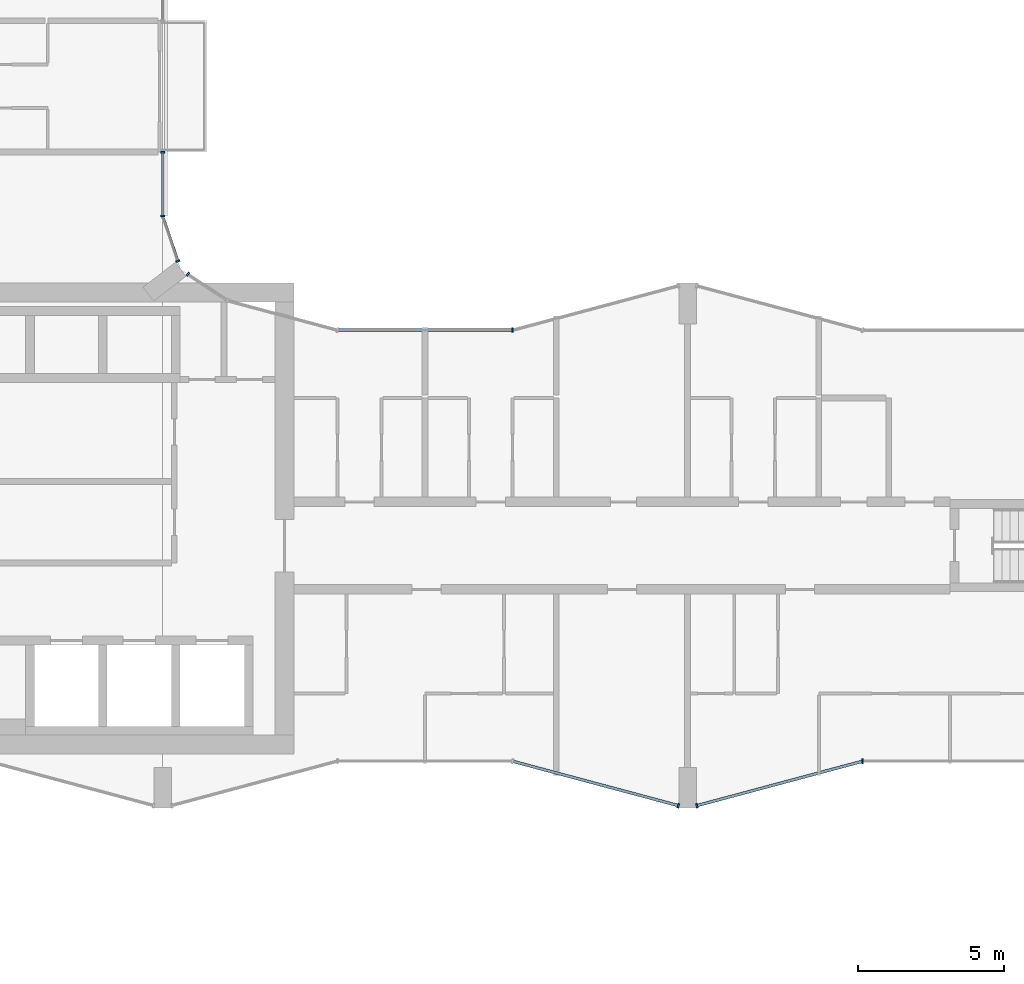
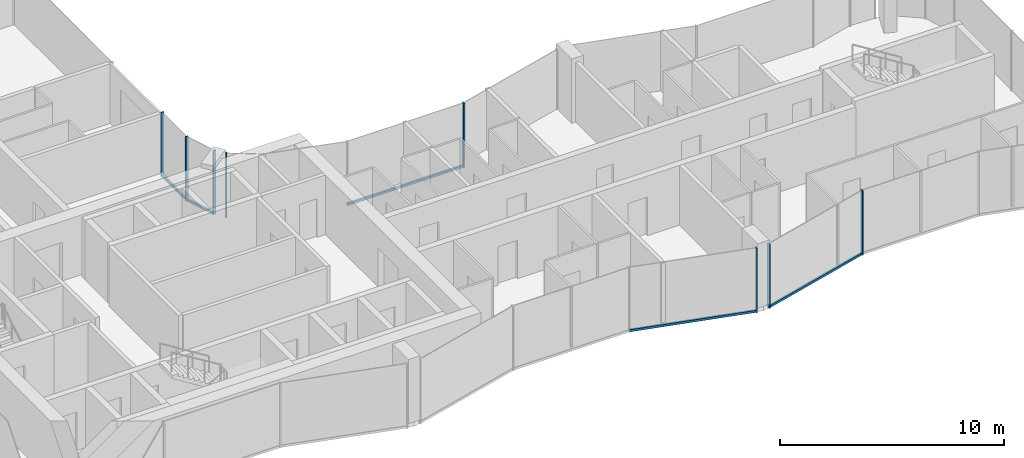
# One storey, part 4 of 22: 13 members, 7 elements without a shape of their own.
"""IFC4 building model written with IfcOpenShell, lengths in metres."""

from ifc_helpers import new_model, si_unit, direction, frame, origin, origin_2d, place, context, subcontext, project, spatial, rectangle, extrude, material, layer, layer_set, material_profile, profile_set, type_object, element, aggregate, save


model = new_model("IFC4")

# Units and contexts
model_context = context("Model", 3, precision=1e-05, world=origin(), true_north=direction((0.0, 1.0)))
body_context = subcontext(model_context, "Body", "Model", "MODEL_VIEW")
ifc_project = project(units=[si_unit("LENGTHUNIT", "METRE"), si_unit("AREAUNIT", "SQUARE_METRE"), si_unit("VOLUMEUNIT", "CUBIC_METRE"), si_unit("PLANEANGLEUNIT", "RADIAN"), si_unit("MASSUNIT", "GRAM", prefix="KILO")], contexts=[model_context])

# Site, building, storey
site_placement = place(None, origin())
site = spatial("IfcSite", under=ifc_project, at=site_placement, CompositionType="ELEMENT")
building_placement = place(site_placement, origin())
building = spatial("IfcBuilding", under=site, at=building_placement, Name="Plateau Cross Towers", CompositionType="ELEMENT")
storey_placement = place(building_placement, frame((0.0, 0.0, 99.300048828125)))
storey = spatial("IfcBuildingStorey", under=building, at=storey_placement, Name="L25", CompositionType="ELEMENT", Elevation=99.300048828125)

# Curtain wall, member
ifc_material_1 = material(Name="Dark low-iron glass", Category="glass")
ifc_layer_1 = layer(ifc_material_1, 0.239990234375)
ifc_layer_set_1 = layer_set([ifc_layer_1], Name="Dark low-iron glass")
curtain_wall_type_1 = type_object("IfcCurtainWallType", Name="Curtain wall flush unitised CW-B", PredefinedType="NOTDEFINED", material=ifc_layer_set_1)
curtain_wall_1_placement = place(storey_placement, origin())
curtain_wall_1 = element("IfcCurtainWall", 1, at=curtain_wall_1_placement, inside=storey, type_object=curtain_wall_type_1, Name="ENV/A/L25/A202_174", PredefinedType="NOTDEFINED")
ifc_material_2 = material(Name="Black anodised aluminium", Category="aluminium")
ifc_material_profile_1 = material_profile(ifc_material_2, rectangle(XDim=0.06005859375, YDim=0.139892578125, at=origin_2d()), Name="MULLION 60x140")
ifc_profile_set_1 = profile_set([ifc_material_profile_1], Name="Black anodised aluminium")
member_type_1 = type_object("IfcMemberType", Name="Mullion 60x140 flush unitised", PredefinedType="MULLION", material=ifc_profile_set_1)
member_1_placement = place(storey_placement, frame((18.86962890625, 18.30908203125, -0.25), z_axis=(0.0, 0.0, 1.0), x_axis=(-0.831521253329, 0.555492938984, 0.0)))
member_1 = element("IfcMember", 2, at=member_1_placement, type_object=member_type_1, Name="CW-B mullion 2", PredefinedType="MULLION", context=body_context, shape_type="SweptSolid", body=[
    extrude(rectangle(XDim=0.06005859375, YDim=0.139892578125, at=origin_2d()), origin(), (0.0, 0.0, 1.0), 3.5),
])
aggregate(curtain_wall_1, [member_1])

curtain_wall_2_placement = place(storey_placement, origin())
curtain_wall_2 = element("IfcCurtainWall", 3, at=curtain_wall_2_placement, inside=storey, type_object=curtain_wall_type_1, Name="ENV/A/L25/A185_188", PredefinedType="NOTDEFINED")
member_2_placement = place(storey_placement, frame((18.523681640625, 18.760009765625, -0.25), z_axis=(0.0, 0.0, 1.0), x_axis=(-0.321469161574, 0.94692004845, 0.0)))
member_2 = element("IfcMember", 4, at=member_2_placement, type_object=member_type_1, Name="CW-B mullion 1", PredefinedType="MULLION", context=body_context, shape_type="SweptSolid", body=[
    extrude(rectangle(XDim=0.06005859375, YDim=0.139892578125, at=origin_2d()), origin(), (0.0, 0.0, 1.0), 3.5),
])

# Curtain wall, members
curtain_wall_3_placement = place(storey_placement, origin())
curtain_wall_3 = element("IfcCurtainWall", 5, at=curtain_wall_3_placement, inside=storey, type_object=curtain_wall_type_1, Name="ENV/A/L25/A180_203", PredefinedType="NOTDEFINED")
member_3_placement = place(storey_placement, frame((18.0, 20.30224609375, -0.25), z_axis=(0.0, 0.0, 1.0), x_axis=(0.0, 1.0, 0.0)))
member_3 = element("IfcMember", 6, at=member_3_placement, type_object=member_type_1, Name="CW-B mullion 1", PredefinedType="MULLION", context=body_context, shape_type="SweptSolid", body=[
    extrude(rectangle(XDim=0.06005859375, YDim=0.139892578125, at=origin_2d()), origin(), (0.0, 0.0, 1.0), 3.5),
])
member_4_placement = place(storey_placement, frame((18.0, 22.489990234375, -0.25), z_axis=(0.0, 0.0, 1.0), x_axis=(0.0, 1.0, 0.0)))
member_4 = element("IfcMember", 7, at=member_4_placement, type_object=member_type_1, Name="CW-B mullion 2", PredefinedType="MULLION", context=body_context, shape_type="SweptSolid", body=[
    extrude(rectangle(XDim=0.06005859375, YDim=0.139892578125, at=origin_2d()), origin(), (0.0, 0.0, 1.0), 3.5),
])

# Curtain wall, member
ifc_layer_2 = layer(ifc_material_1, 0.260009765625)
ifc_layer_set_2 = layer_set([ifc_layer_2], Name="Dark low-iron glass")
curtain_wall_type_2 = type_object("IfcCurtainWallType", Name="Curtain wall fluted unitised CW-A", PredefinedType="NOTDEFINED", material=ifc_layer_set_2)
curtain_wall_4_placement = place(storey_placement, origin())
curtain_wall_4 = element("IfcCurtainWall", 8, at=curtain_wall_4_placement, inside=storey, type_object=curtain_wall_type_2, Name="ENV/A/L25/A300_16", PredefinedType="NOTDEFINED")
ifc_material_profile_2 = material_profile(ifc_material_2, rectangle(XDim=0.06005859375, YDim=0.159912109375, at=origin_2d()), Name="MULLION 60x160")
ifc_profile_set_2 = profile_set([ifc_material_profile_2], Name="Black anodised aluminium")
member_type_2 = type_object("IfcMemberType", Name="Mullion 60x160 fluted unitised", PredefinedType="MULLION", material=ifc_profile_set_2)
member_5_placement = place(storey_placement, frame((35.68212890625, 0.085205078125, -0.25), z_axis=(0.0, 0.0, 1.0), x_axis=(0.965957983404, -0.258699003279, 0.0)))
member_5 = element("IfcMember", 9, at=member_5_placement, type_object=member_type_2, Name="CW-A mullion 2", PredefinedType="MULLION", context=body_context, shape_type="SweptSolid", body=[
    extrude(rectangle(XDim=0.06005859375, YDim=0.159912109375, at=origin_2d()), origin(), (0.0, 0.0, 1.0), 3.5),
])

curtain_wall_5_placement = place(storey_placement, origin())
curtain_wall_5 = element("IfcCurtainWall", 10, at=curtain_wall_5_placement, inside=storey, type_object=curtain_wall_type_2, Name="ENV/A/L25/A363_1", PredefinedType="NOTDEFINED")
member_6_placement = place(storey_placement, frame((36.31787109375, 0.085205078125, -0.25), z_axis=(0.0, 0.0, 1.0), x_axis=(0.965957983404, 0.258699003279, 0.0)))
member_6 = element("IfcMember", 11, at=member_6_placement, type_object=member_type_2, Name="CW-A mullion 1", PredefinedType="MULLION", context=body_context, shape_type="SweptSolid", body=[
    extrude(rectangle(XDim=0.06005859375, YDim=0.159912109375, at=origin_2d()), origin(), (0.0, 0.0, 1.0), 3.5),
])

curtain_wall_6_placement = place(storey_placement, origin())
curtain_wall_6 = element("IfcCurtainWall", 12, at=curtain_wall_6_placement, inside=storey, type_object=curtain_wall_type_2, Name="ENV/A/L25/A420_16", PredefinedType="NOTDEFINED")
member_7_placement = place(storey_placement, frame((42.0, 1.60693359375, -0.25), z_axis=(0.0, 0.0, 1.0), x_axis=(1.0, 0.0, 0.0)))
member_7 = element("IfcMember", 13, at=member_7_placement, type_object=member_type_2, Name="CW-A mullion 1", PredefinedType="MULLION", context=body_context, shape_type="SweptSolid", body=[
    extrude(rectangle(XDim=0.06005859375, YDim=0.159912109375, at=origin_2d()), origin(), (0.0, 0.0, 1.0), 3.5),
])
aggregate(curtain_wall_6, [member_7])

curtain_wall_7_placement = place(storey_placement, origin())
curtain_wall_7 = element("IfcCurtainWall", 14, at=curtain_wall_7_placement, inside=storey, type_object=curtain_wall_type_2, Name="ENV/A/L25/A300_164", PredefinedType="NOTDEFINED")
member_8_placement = place(storey_placement, frame((30.0, 16.39306640625, -0.25), z_axis=(0.0, 0.0, 1.0), x_axis=(-1.0, 0.0, 0.0)))
member_8 = element("IfcMember", 15, at=member_8_placement, type_object=member_type_2, Name="CW-A mullion 1", PredefinedType="MULLION", context=body_context, shape_type="SweptSolid", body=[
    extrude(rectangle(XDim=0.06005859375, YDim=0.159912109375, at=origin_2d()), origin(), (0.0, 0.0, 1.0), 3.5),
])

# Member
ifc_material_profile_3 = material_profile(ifc_material_2, rectangle(XDim=0.10009765625, YDim=0.1201171875, at=origin_2d()), Name="TRANSOM 100x120")
ifc_profile_set_3 = profile_set([ifc_material_profile_3], Name="Black anodised aluminium")
member_type_3 = type_object("IfcMemberType", Name="Transom 100x120 flush unitised", PredefinedType="USERDEFINED", material=ifc_profile_set_3)
member_9_placement = place(storey_placement, frame((18.523681640625, 18.760009765625, -0.18994140625), z_axis=(-0.321529174838, 0.946899672472, 0.0), x_axis=(-0.946899672472, -0.321529174838, 0.0)))
member_9 = element("IfcMember", 16, at=member_9_placement, type_object=member_type_3, Name="CW-B transom", ObjectType="TRANSOM", PredefinedType="USERDEFINED", context=body_context, shape_type="SweptSolid", body=[
    extrude(rectangle(XDim=0.10009765625, YDim=0.1201171875, at=origin_2d()), origin(), (0.0, 0.0, 1.0), 1.628662109375),
])

aggregate(curtain_wall_2, [member_2, member_9])

member_10_placement = place(storey_placement, frame((18.0, 20.30224609375, -0.18994140625), z_axis=(0.0, 1.0, 0.0), x_axis=(-1.0, 0.0, 0.0)))
member_10 = element("IfcMember", 17, at=member_10_placement, type_object=member_type_3, Name="CW-B transom", ObjectType="TRANSOM", PredefinedType="USERDEFINED", context=body_context, shape_type="SweptSolid", body=[
    extrude(rectangle(XDim=0.10009765625, YDim=0.1201171875, at=origin_2d()), origin(), (0.0, 0.0, 1.0), 2.187744140625),
])

aggregate(curtain_wall_3, [member_3, member_4, member_10])

ifc_material_profile_4 = material_profile(ifc_material_2, rectangle(XDim=0.10009765625, YDim=0.1201171875, at=origin_2d()), Name="TRANSOM 100x120")
ifc_profile_set_4 = profile_set([ifc_material_profile_4], Name="Black anodised aluminium")
member_type_4 = type_object("IfcMemberType", Name="Transom 100x120 fluted unitised", PredefinedType="USERDEFINED", material=ifc_profile_set_4)
member_11_placement = place(storey_placement, frame((30.0, 1.60693359375, -0.18994140625), z_axis=(0.965959534794, -0.258693210465, 0.0), x_axis=(0.258693210465, 0.965959534794, 0.0)))
member_11 = element("IfcMember", 18, at=member_11_placement, type_object=member_type_4, Name="CW-A transom", ObjectType="TRANSOM", PredefinedType="USERDEFINED", context=body_context, shape_type="SweptSolid", body=[
    extrude(rectangle(XDim=0.10009765625, YDim=0.1201171875, at=origin_2d()), origin(), (0.0, 0.0, 1.0), 5.88232421875),
])

aggregate(curtain_wall_4, [member_5, member_11])

member_12_placement = place(storey_placement, frame((36.31787109375, 0.085205078125, -0.18994140625), z_axis=(0.965959534794, 0.258693210465, 0.0), x_axis=(-0.258693210465, 0.965959534794, 0.0)))
member_12 = element("IfcMember", 19, at=member_12_placement, type_object=member_type_4, Name="CW-A transom", ObjectType="TRANSOM", PredefinedType="USERDEFINED", context=body_context, shape_type="SweptSolid", body=[
    extrude(rectangle(XDim=0.10009765625, YDim=0.1201171875, at=origin_2d()), origin(), (0.0, 0.0, 1.0), 5.88232421875),
])

aggregate(curtain_wall_5, [member_6, member_12])

member_13_placement = place(storey_placement, frame((30.0, 16.39306640625, -0.18994140625), z_axis=(-1.0, 0.0, 0.0), x_axis=(0.0, -1.0, 0.0)))
member_13 = element("IfcMember", 20, at=member_13_placement, type_object=member_type_4, Name="CW-A transom", ObjectType="TRANSOM", PredefinedType="USERDEFINED", context=body_context, shape_type="SweptSolid", body=[
    extrude(rectangle(XDim=0.10009765625, YDim=0.1201171875, at=origin_2d()), origin(), (0.0, 0.0, 1.0), 6.0),
])

aggregate(curtain_wall_7, [member_8, member_13])

save(model, "model.ifc")
